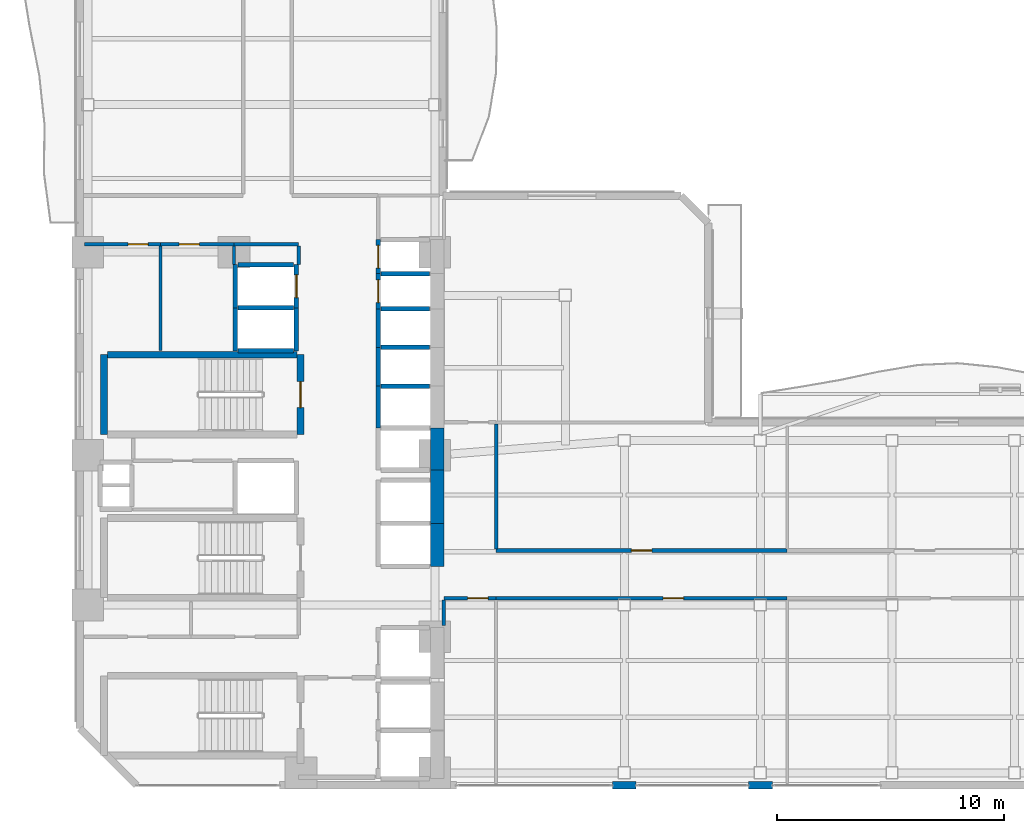
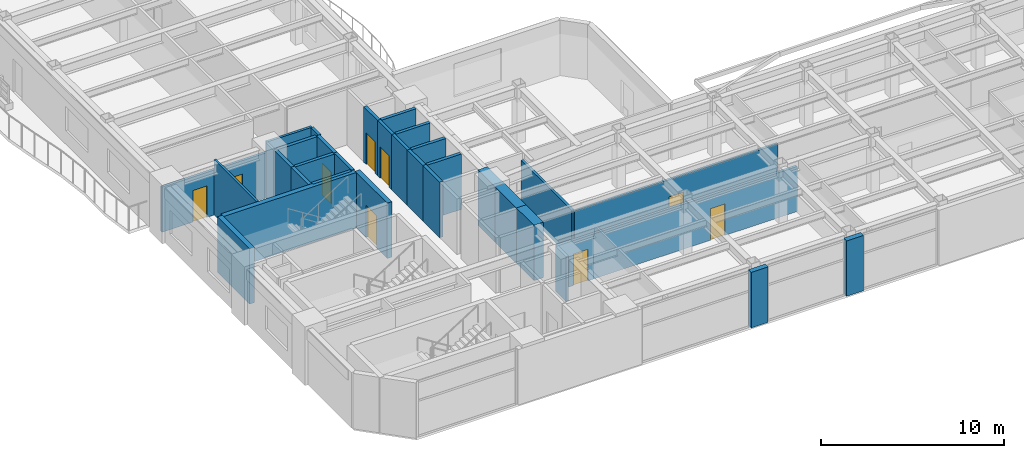
# One storey, part 10 of 17: 35 walls, 9 doors, 9 openings.
"""IFC4 building model written with IfcOpenShell, lengths in metres."""

from ifc_helpers import new_model, si_unit, direction, frame, frame_2d, origin, place, context, subcontext, project, spatial, rectangle, extrude, material, layer, layer_set, type_object, element, fill, save


model = new_model("IFC4")

# Units and contexts
model_context = context("Model", 3, precision=1e-05, world=origin(), true_north=direction((0.0, 1.0)))
body_context = subcontext(model_context, "Body", "Model", "MODEL_VIEW")
ifc_project = project(units=[si_unit("LENGTHUNIT", "METRE"), si_unit("AREAUNIT", "SQUARE_METRE"), si_unit("VOLUMEUNIT", "CUBIC_METRE"), si_unit("PLANEANGLEUNIT", "RADIAN"), si_unit("MASSUNIT", "GRAM", prefix="KILO")], contexts=[model_context])

# Site, building, storey
site_placement = place(None, origin())
site = spatial("IfcSite", under=ifc_project, at=site_placement, CompositionType="ELEMENT")
building_placement = place(site_placement, origin())
building = spatial("IfcBuilding", under=site, at=building_placement, Name="Mawjaban Terraces University", CompositionType="ELEMENT")
storey_placement = place(building_placement, frame((0.0, 0.0, 70.0)))
storey = spatial("IfcBuildingStorey", under=building, at=storey_placement, Name="L16", CompositionType="ELEMENT", Elevation=70.0)

# Walls
ifc_material_1 = material(Name="Concrete C70/85", Category="concrete")
ifc_layer_1 = layer(ifc_material_1, 0.60009765625)
ifc_layer_set_1 = layer_set([ifc_layer_1], Name="Concrete C70/85")
wall_type_1 = type_object("IfcWallType", Name="CoreShearWall_600", PredefinedType="SHEAR", material=ifc_layer_set_1)
wall_1_placement = place(storey_placement, frame((37.75, 9.64990234375, 0.0), z_axis=(0.0, 0.0, 1.0), x_axis=(0.0, 1.0, 0.0)))
element("IfcWall", 1, at=wall_1_placement, inside=storey, type_object=wall_type_1, Name="L16 Lift PL-H1 Hoistway Wall East", PredefinedType="SHEAR", context=body_context, shape_type="SweptSolid", body=[
    extrude(rectangle(XDim=1.900146484375, YDim=0.60009765625, at=frame_2d((0.9501953125, 0.0))), origin(), (0.0, 0.0, 1.0), 3.68994140625),
])
wall_2_placement = place(storey_placement, frame((37.75, 11.550048828125, 0.0), z_axis=(0.0, 0.0, 1.0), x_axis=(0.0, 1.0, 0.0)))
element("IfcWall", 2, at=wall_2_placement, inside=storey, type_object=wall_type_1, Name="L16 Lift PL-H2 Hoistway Wall East", PredefinedType="SHEAR", context=body_context, shape_type="SweptSolid", body=[
    extrude(rectangle(XDim=2.349853515625, YDim=0.60009765625, at=frame_2d((1.1748046875, 0.0))), origin(), (0.0, 0.0, 1.0), 3.68994140625),
])
wall_3_placement = place(storey_placement, frame((37.75, 13.89990234375, 0.0), z_axis=(0.0, 0.0, 1.0), x_axis=(0.0, 1.0, 0.0)))
element("IfcWall", 3, at=wall_3_placement, inside=storey, type_object=wall_type_1, Name="L16 Lift OL-1 Hoistway Wall East", PredefinedType="SHEAR", context=body_context, shape_type="SweptSolid", body=[
    extrude(rectangle(XDim=1.85009765625, YDim=0.60009765625, at=frame_2d((0.925048828125, 0.0))), origin(), (0.0, 0.0, 1.0), 3.68994140625),
])

# Wall, opening, door
ifc_material_2 = material(Name="Fire-rated gypsum board on steel stud", Category="steel")
ifc_layer_2 = layer(ifc_material_2, 0.159912109375)
ifc_layer_set_2 = layer_set([ifc_layer_2], Name="Fire-rated gypsum board on steel stud")
wall_type_2 = type_object("IfcWallType", Name="CorridorPartition_160", PredefinedType="PARTITIONING", material=ifc_layer_set_2)
wall_4_placement = place(storey_placement, frame((25.550048828125, 23.85009765625, 0.0), z_axis=(0.0, 0.0, 1.0), x_axis=(-1.0, 0.0, 0.0)))
wall_4 = element("IfcWall", 4, at=wall_4_placement, inside=storey, type_object=wall_type_2, Name="L16 Female Toilet Partition 3", PredefinedType="PARTITIONING", context=body_context, shape_type="SweptSolid", body=[
    extrude(rectangle(XDim=3.35009765625, YDim=0.159912109375, at=frame_2d((1.675048828125, 0.0))), origin(), (0.0, 0.0, 1.0), 2.9951171875),
])
opening_1_placement = place(wall_4_placement, frame((0.534912109375, 0.0, 0.0)))
opening_1 = element("IfcOpeningElement", 5, at=opening_1_placement, cuts=wall_4, Name="Opening ID-088", PredefinedType="OPENING", context=body_context, shape_type="SweptSolid", body=[
    extrude(rectangle(XDim=0.8798828125, YDim=2.10009765625, at=frame_2d((0.43994140625, 1.050048828125))), frame((0.0, 0.08984375, 0.0), z_axis=(0.0, -1.0, 0.0), x_axis=(1.0, 0.0, 0.0)), (0.0, 0.0, 1.0), 0.179931640625),
])
ifc_material_3 = material(Name="Powder-coated steel frame and solid acoustic timber leaf", Category="steel")
door_type_1 = type_object("IfcDoorType", Name="ToiletDoor_880x2100", OperationType="NOTDEFINED", PredefinedType="DOOR", material=ifc_material_3)
door_1_placement = place(opening_1_placement, origin())
door_1 = element("IfcDoor", 6, at=door_1_placement, inside=storey, type_object=door_type_1, Name="L16 Female Toilet Door", OperationType="SINGLE_SWING_RIGHT", OverallHeight=2.10009765625, OverallWidth=0.8798828125, PredefinedType="DOOR", context=body_context, shape_type="SweptSolid", body=[
    extrude(rectangle(XDim=0.8798828125, YDim=2.10009765625, at=frame_2d((0.43994140625, 1.050048828125))), frame((0.0, 0.02490234375, 0.0), z_axis=(0.0, -1.0, 0.0), x_axis=(1.0, 0.0, 0.0)), (0.0, 0.0, 1.0), 0.050048828125),
])
fill(opening_1, door_1)

wall_5_placement = place(storey_placement, frame((28.800048828125, 23.85009765625, 0.0), z_axis=(0.0, 0.0, 1.0), x_axis=(-1.0, 0.0, 0.0)))
wall_5 = element("IfcWall", 7, at=wall_5_placement, inside=storey, type_object=wall_type_2, Name="L16 Staff Tea Pantry Partition 5", PredefinedType="PARTITIONING", context=body_context, shape_type="SweptSolid", body=[
    extrude(rectangle(XDim=3.25, YDim=0.159912109375, at=frame_2d((1.625, 0.0))), origin(), (0.0, 0.0, 1.0), 2.9951171875),
])
opening_2_placement = place(wall_5_placement, frame((1.52490234375, 0.0, 0.0)))
opening_2 = element("IfcOpeningElement", 8, at=opening_2_placement, cuts=wall_5, Name="Opening ID-090", PredefinedType="OPENING", context=body_context, shape_type="SweptSolid", body=[
    extrude(rectangle(XDim=0.89990234375, YDim=2.10009765625, at=frame_2d((0.449951171875, 1.050048828125))), frame((0.0, 0.08984375, 0.0), z_axis=(0.0, -1.0, 0.0), x_axis=(1.0, 0.0, 0.0)), (0.0, 0.0, 1.0), 0.179931640625),
])
door_type_2 = type_object("IfcDoorType", Name="OfficeDoor_900x2100", OperationType="NOTDEFINED", PredefinedType="DOOR", material=ifc_material_3)
door_2_placement = place(opening_2_placement, origin())
door_2 = element("IfcDoor", 9, at=door_2_placement, inside=storey, type_object=door_type_2, Name="L16 Staff Tea Pantry Door", OperationType="SINGLE_SWING_LEFT", OverallHeight=2.10009765625, OverallWidth=0.89990234375, PredefinedType="DOOR", context=body_context, shape_type="SweptSolid", body=[
    extrude(rectangle(XDim=0.89990234375, YDim=2.10009765625, at=frame_2d((0.449951171875, 1.050048828125))), frame((0.0, 0.02490234375, 0.0), z_axis=(0.0, -1.0, 0.0), x_axis=(1.0, 0.0, 0.0)), (0.0, 0.0, 1.0), 0.050048828125),
])
fill(opening_2, door_2)

# Wall
wall_6_placement = place(storey_placement, frame((28.800048828125, 23.85009765625, 0.0), z_axis=(0.0, 0.0, 1.0), x_axis=(1.0, 0.0, 0.0)))
element("IfcWall", 10, at=wall_6_placement, inside=storey, type_object=wall_type_2, Name="L16 North Core Cross-Corridor Partition 6", PredefinedType="PARTITIONING", context=body_context, shape_type="SweptSolid", body=[
    extrude(rectangle(XDim=2.849853515625, YDim=0.159912109375, at=frame_2d((1.4248046875, 0.0))), origin(), (0.0, 0.0, 1.0), 3.68994140625),
])

# Wall, opening, door
wall_7_placement = place(storey_placement, frame((38.050048828125, 8.25, 0.0), z_axis=(0.0, 0.0, 1.0), x_axis=(1.0, 0.0, 0.0)))
wall_7 = element("IfcWall", 11, at=wall_7_placement, inside=storey, type_object=wall_type_2, Name="L16 East Academic Corridor Vestibule Partition 13", PredefinedType="PARTITIONING", context=body_context, shape_type="SweptSolid", body=[
    extrude(rectangle(XDim=2.300048828125, YDim=0.159912109375, at=frame_2d((1.14990234375, 0.0))), origin(), (0.0, 0.0, 1.0), 2.9951171875),
])
opening_3_placement = place(wall_7_placement, frame((1.050048828125, 0.0, 0.0)))
opening_3 = element("IfcOpeningElement", 12, at=opening_3_placement, cuts=wall_7, Name="Opening ID-090", PredefinedType="OPENING", context=body_context, shape_type="SweptSolid", body=[
    extrude(rectangle(XDim=0.89990234375, YDim=2.10009765625, at=frame_2d((0.449951171875, 1.050048828125))), frame((0.0, 0.08984375, 0.0), z_axis=(0.0, -1.0, 0.0), x_axis=(1.0, 0.0, 0.0)), (0.0, 0.0, 1.0), 0.179931640625),
])
door_3_placement = place(opening_3_placement, origin())
door_3 = element("IfcDoor", 13, at=door_3_placement, inside=storey, type_object=door_type_2, Name="L16 Collaborative Study Room 1 Door", OperationType="SINGLE_SWING_RIGHT", OverallHeight=2.10009765625, OverallWidth=0.89990234375, PredefinedType="DOOR", context=body_context, shape_type="SweptSolid", body=[
    extrude(rectangle(XDim=0.89990234375, YDim=2.10009765625, at=frame_2d((0.449951171875, 1.050048828125))), frame((0.0, 0.02490234375, 0.0), z_axis=(0.0, -1.0, 0.0), x_axis=(1.0, 0.0, 0.0)), (0.0, 0.0, 1.0), 0.050048828125),
])
fill(opening_3, door_3)

wall_8_placement = place(storey_placement, frame((40.35009765625, 8.25, 0.0), z_axis=(0.0, 0.0, 1.0), x_axis=(1.0, 0.0, 0.0)))
wall_8 = element("IfcWall", 14, at=wall_8_placement, inside=storey, type_object=wall_type_2, Name="L16 East Academic Spine Corridor Partition 14", PredefinedType="PARTITIONING", context=body_context, shape_type="SweptSolid", body=[
    extrude(rectangle(XDim=12.829833984375, YDim=0.159912109375, at=frame_2d((6.4150390625, 0.0))), origin(), (0.0, 0.0, 1.0), 2.9951171875),
])
opening_4_placement = place(wall_8_placement, frame((7.364990234375, 0.0, 0.0)))
opening_4 = element("IfcOpeningElement", 15, at=opening_4_placement, cuts=wall_8, Name="Opening ID-090", PredefinedType="OPENING", context=body_context, shape_type="SweptSolid", body=[
    extrude(rectangle(XDim=0.89990234375, YDim=2.10009765625, at=frame_2d((0.449951171875, 1.050048828125))), frame((0.0, 0.08984375, 0.0), z_axis=(0.0, -1.0, 0.0), x_axis=(1.0, 0.0, 0.0)), (0.0, 0.0, 1.0), 0.179931640625),
])
door_4_placement = place(opening_4_placement, origin())
door_4 = element("IfcDoor", 16, at=door_4_placement, inside=storey, type_object=door_type_2, Name="L16 Graduate Study Lounge 2 Door", OperationType="SINGLE_SWING_LEFT", OverallHeight=2.10009765625, OverallWidth=0.89990234375, PredefinedType="DOOR", context=body_context, shape_type="SweptSolid", body=[
    extrude(rectangle(XDim=0.89990234375, YDim=2.10009765625, at=frame_2d((0.449951171875, 1.050048828125))), frame((0.0, 0.02490234375, 0.0), z_axis=(0.0, -1.0, 0.0), x_axis=(1.0, 0.0, 0.0)), (0.0, 0.0, 1.0), 0.050048828125),
])
fill(opening_4, door_4)

wall_9_placement = place(storey_placement, frame((53.179931640625, 10.35009765625, 0.0), z_axis=(0.0, 0.0, 1.0), x_axis=(-1.0, 0.0, 0.0)))
wall_9 = element("IfcWall", 17, at=wall_9_placement, inside=storey, type_object=wall_type_2, Name="L16 East Academic Spine Corridor Partition 18", PredefinedType="PARTITIONING", context=body_context, shape_type="SweptSolid", body=[
    extrude(rectangle(XDim=12.829833984375, YDim=0.159912109375, at=frame_2d((6.4150390625, 0.0))), origin(), (0.0, 0.0, 1.0), 3.22705078125),
])
opening_5_placement = place(wall_9_placement, frame((5.965087890625, 0.0, 0.0)))
opening_5 = element("IfcOpeningElement", 18, at=opening_5_placement, cuts=wall_9, Name="Opening ID-090", PredefinedType="OPENING", context=body_context, shape_type="SweptSolid", body=[
    extrude(rectangle(XDim=0.89990234375, YDim=2.10009765625, at=frame_2d((0.449951171875, 1.050048828125))), frame((0.0, 0.08984375, 0.0), z_axis=(0.0, -1.0, 0.0), x_axis=(1.0, 0.0, 0.0)), (0.0, 0.0, 1.0), 0.179931640625),
])
door_5_placement = place(opening_5_placement, origin())
door_5 = element("IfcDoor", 19, at=door_5_placement, inside=storey, type_object=door_type_2, Name="L16 Collaborative Study Room 3 Door", OperationType="SINGLE_SWING_RIGHT", OverallHeight=2.10009765625, OverallWidth=0.89990234375, PredefinedType="DOOR", context=body_context, shape_type="SweptSolid", body=[
    extrude(rectangle(XDim=0.89990234375, YDim=2.10009765625, at=frame_2d((0.449951171875, 1.050048828125))), frame((0.0, 0.02490234375, 0.0), z_axis=(0.0, -1.0, 0.0), x_axis=(1.0, 0.0, 0.0)), (0.0, 0.0, 1.0), 0.050048828125),
])
fill(opening_5, door_5)

# Walls
wall_10_placement = place(storey_placement, frame((31.64990234375, 23.77490234375, 0.0), z_axis=(0.0, 0.0, 1.0), x_axis=(0.0, -1.0, 0.0)))
element("IfcWall", 20, at=wall_10_placement, inside=storey, type_object=wall_type_2, Name="L16 Passenger Lift Lobby Partition 29", PredefinedType="PARTITIONING", context=body_context, shape_type="SweptSolid", body=[
    extrude(rectangle(XDim=0.824951171875, YDim=0.159912109375, at=frame_2d((0.41259765625, 0.0))), origin(), (0.0, 0.0, 1.0), 3.68994140625),
])
wall_11_placement = place(storey_placement, frame((38.050048828125, 7.050048828125, 0.0), z_axis=(0.0, 0.0, 1.0), x_axis=(0.0, 1.0, 0.0)))
element("IfcWall", 21, at=wall_11_placement, inside=storey, type_object=wall_type_2, Name="L16 Core Stair and Lift Lobby East Partition 31", PredefinedType="PARTITIONING", context=body_context, shape_type="SweptSolid", body=[
    extrude(rectangle(XDim=1.125, YDim=0.159912109375, at=frame_2d((0.5625, 0.0))), origin(), (0.0, 0.0, 1.0), 2.9951171875),
])
wall_12_placement = place(storey_placement, frame((40.35009765625, 10.425048828125, 0.0), z_axis=(0.0, 0.0, 1.0), x_axis=(0.0, 1.0, 0.0)))
element("IfcWall", 22, at=wall_12_placement, inside=storey, type_object=wall_type_2, Name="L16 East Academic Corridor Vestibule Partition 34", PredefinedType="PARTITIONING", context=body_context, shape_type="SweptSolid", body=[
    extrude(rectangle(XDim=5.5, YDim=0.159912109375, at=frame_2d((2.75, 0.0))), origin(), (0.0, 0.0, 1.0), 3.22705078125),
])
ifc_material_4 = material(Name="Insulated terracotta rainscreen on concrete backup C40/50", Category="masonry")
ifc_layer_3 = layer(ifc_material_4, 0.320068359375)
ifc_layer_set_3 = layer_set([ifc_layer_3], Name="Insulated terracotta rainscreen on concrete backup C40/50")
wall_type_3 = type_object("IfcWallType", Name="ExtTerracottaWall_320", PredefinedType="SOLIDWALL", material=ifc_layer_set_3)
for number, where, z_axis, x_axis, name in (
    (23, (45.47509765625, 0.0, 0.0), (0.0, 0.0, 1.0), (1.0, 0.0, 0.0), "L16 Exterior Terracotta Pier Wall 1.2"),
    (24, (51.47509765625, 0.0, 0.0), (0.0, 0.0, 1.0), (1.0, 0.0, 0.0), "L16 Exterior Terracotta Pier Wall 1.3"),
):
    element("IfcWall", number, at=place(storey_placement, frame(where, z_axis=z_axis, x_axis=x_axis)), inside=storey, type_object=wall_type_3, Name=name, PredefinedType="SOLIDWALL", context=body_context, shape_type="SweptSolid", body=[
        extrude(rectangle(XDim=1.0498046875, YDim=0.320068359375, at=frame_2d((0.52490234375, 0.0))), origin(), (0.0, 0.0, 1.0), 3.68994140625),
    ])
ifc_material_5 = material(Name="Concrete C40/50", Category="concrete")
ifc_layer_4 = layer(ifc_material_5, 0.199951171875)
ifc_layer_set_4 = layer_set([ifc_layer_4], Name="Concrete C40/50")
wall_type_4 = type_object("IfcWallType", Name="FireLobbyWall_200", PredefinedType="SOLIDWALL", material=ifc_layer_set_4)
wall_13_placement = place(storey_placement, frame((35.14990234375, 17.60009765625, 0.0), z_axis=(0.0, 0.0, 1.0), x_axis=(0.0, -1.0, 0.0)))
element("IfcWall", 25, at=wall_13_placement, inside=storey, type_object=wall_type_4, Name="L16 Lift OL-2 Hoistway Wall West", PredefinedType="SOLIDWALL", context=body_context, shape_type="SweptSolid", body=[
    extrude(rectangle(XDim=1.85009765625, YDim=0.199951171875, at=frame_2d((0.925048828125, 0.0))), origin(), (0.0, 0.0, 1.0), 3.68994140625),
])
wall_14_placement = place(storey_placement, frame((37.419921875, 17.60009765625, 0.0), z_axis=(0.0, 0.0, 1.0), x_axis=(-1.0, 0.0, 0.0)))
element("IfcWall", 26, at=wall_14_placement, inside=storey, type_object=wall_type_4, Name="L16 Lift OL-2 Hoistway Wall North", PredefinedType="SOLIDWALL", context=body_context, shape_type="SweptSolid", body=[
    extrude(rectangle(XDim=2.139892578125, YDim=0.199951171875, at=frame_2d((1.06982421875, 0.0))), origin(), (0.0, 0.0, 1.0), 3.68994140625),
])
wall_15_placement = place(storey_placement, frame((35.14990234375, 19.300048828125, 0.0), z_axis=(0.0, 0.0, 1.0), x_axis=(0.0, -1.0, 0.0)))
element("IfcWall", 27, at=wall_15_placement, inside=storey, type_object=wall_type_4, Name="L16 Lift PL-M1 Hoistway Wall West", PredefinedType="SOLIDWALL", context=body_context, shape_type="SweptSolid", body=[
    extrude(rectangle(XDim=1.699951171875, YDim=0.199951171875, at=frame_2d((0.85009765625, 0.0))), origin(), (0.0, 0.0, 1.0), 3.68994140625),
])
wall_16_placement = place(storey_placement, frame((37.419921875, 19.300048828125, 0.0), z_axis=(0.0, 0.0, 1.0), x_axis=(-1.0, 0.0, 0.0)))
element("IfcWall", 28, at=wall_16_placement, inside=storey, type_object=wall_type_4, Name="L16 Lift PL-M1 Hoistway Wall North", PredefinedType="SOLIDWALL", context=body_context, shape_type="SweptSolid", body=[
    extrude(rectangle(XDim=2.139892578125, YDim=0.199951171875, at=frame_2d((1.06982421875, 0.0))), origin(), (0.0, 0.0, 1.0), 3.68994140625),
])
wall_17_placement = place(storey_placement, frame((35.14990234375, 21.0, 0.0), z_axis=(0.0, 0.0, 1.0), x_axis=(0.0, -1.0, 0.0)))
element("IfcWall", 29, at=wall_17_placement, inside=storey, type_object=wall_type_4, Name="L16 Lift PL-M2 Hoistway Wall West", PredefinedType="SOLIDWALL", context=body_context, shape_type="SweptSolid", body=[
    extrude(rectangle(XDim=1.699951171875, YDim=0.199951171875, at=frame_2d((0.85009765625, 0.0))), origin(), (0.0, 0.0, 1.0), 3.68994140625),
])
wall_18_placement = place(storey_placement, frame((37.419921875, 21.0, 0.0), z_axis=(0.0, 0.0, 1.0), x_axis=(-1.0, 0.0, 0.0)))
element("IfcWall", 30, at=wall_18_placement, inside=storey, type_object=wall_type_4, Name="L16 Lift PL-M2 Hoistway Wall North", PredefinedType="SOLIDWALL", context=body_context, shape_type="SweptSolid", body=[
    extrude(rectangle(XDim=2.139892578125, YDim=0.199951171875, at=frame_2d((1.06982421875, 0.0))), origin(), (0.0, 0.0, 1.0), 3.68994140625),
])
for number, where, z_axis, x_axis, name in (
    (31, (28.85009765625, 21.050048828125, 0.0), (0.0, 0.0, 1.0), (0.0, -1.0, 0.0), "L16 Lift PL-M3 Hoistway Wall West"),
    (32, (31.550048828125, 19.14990234375, 0.0), (0.0, 0.0, 1.0), (0.0, 1.0, 0.0), "L16 Lift PL-M3 Hoistway Wall East"),
):
    element("IfcWall", number, at=place(storey_placement, frame(where, z_axis=z_axis, x_axis=x_axis)), inside=storey, type_object=wall_type_4, Name=name, PredefinedType="SOLIDWALL", context=body_context, shape_type="SweptSolid", body=[
        extrude(rectangle(XDim=1.900146484375, YDim=0.199951171875, at=frame_2d((0.9501953125, 0.0))), origin(), (0.0, 0.0, 1.0), 3.68994140625),
    ])
for number, where, z_axis, x_axis, name in (
    (33, (28.97998046875, 19.14990234375, 0.0), (0.0, 0.0, 1.0), (1.0, 0.0, 0.0), "L16 Lift PL-M3 Hoistway Wall South"),
    (34, (31.419921875, 21.050048828125, 0.0), (0.0, 0.0, 1.0), (-1.0, 0.0, 0.0), "L16 Lift PL-M3 Hoistway Wall North"),
):
    element("IfcWall", number, at=place(storey_placement, frame(where, z_axis=z_axis, x_axis=x_axis)), inside=storey, type_object=wall_type_4, Name=name, PredefinedType="SOLIDWALL", context=body_context, shape_type="SweptSolid", body=[
        extrude(rectangle(XDim=2.43994140625, YDim=0.199951171875, at=frame_2d((1.219970703125, 0.0))), origin(), (0.0, 0.0, 1.0), 3.68994140625),
    ])

# Wall, opening, door
wall_19_placement = place(storey_placement, frame((35.14990234375, 22.550048828125, 0.0), z_axis=(0.0, 0.0, 1.0), x_axis=(0.0, -1.0, 0.0)))
wall_19 = element("IfcWall", 35, at=wall_19_placement, inside=storey, type_object=wall_type_4, Name="L16 Lift PL-L1 Hoistway Wall West", PredefinedType="SOLIDWALL", context=body_context, shape_type="SweptSolid", body=[
    extrude(rectangle(XDim=1.550048828125, YDim=0.199951171875, at=frame_2d((0.77490234375, 0.0))), origin(), (0.0, 0.0, 1.0), 3.68994140625),
])
opening_6_placement = place(wall_19_placement, frame((0.27490234375, 0.0, 0.0)))
opening_6 = element("IfcOpeningElement", 36, at=opening_6_placement, cuts=wall_19, Name="Opening LD-PL-L1", PredefinedType="OPENING", context=body_context, shape_type="SweptSolid", body=[
    extrude(rectangle(XDim=1.0, YDim=2.10009765625, at=frame_2d((0.5, 1.050048828125))), frame((0.0, 0.10986328125, 0.0), z_axis=(0.0, -1.0, 0.0), x_axis=(1.0, 0.0, 0.0)), (0.0, 0.0, 1.0), 0.219970703125),
])
ifc_material_6 = material(Name="Powder-coated steel frame and fire-rated steel-faced leaf", Category="steel")
door_type_3 = type_object("IfcDoorType", Name="LiftLandingSliding_1000x2100", OperationType="NOTDEFINED", PredefinedType="DOOR", material=ifc_material_6)
door_6_placement = place(opening_6_placement, origin())
door_6 = element("IfcDoor", 37, at=door_6_placement, inside=storey, type_object=door_type_3, Name="L16 Lift PL-L1 Sliding Landing Door", OperationType="DOUBLE_DOOR_SLIDING", OverallHeight=2.10009765625, OverallWidth=1.0, PredefinedType="DOOR", context=body_context, shape_type="SweptSolid", body=[
    extrude(rectangle(XDim=1.0, YDim=2.10009765625, at=frame_2d((0.5, 1.050048828125))), frame((0.0, 0.02490234375, 0.0), z_axis=(0.0, -1.0, 0.0), x_axis=(1.0, 0.0, 0.0)), (0.0, 0.0, 1.0), 0.050048828125),
])
fill(opening_6, door_6)

# Wall
wall_20_placement = place(storey_placement, frame((37.419921875, 22.550048828125, 0.0), z_axis=(0.0, 0.0, 1.0), x_axis=(-1.0, 0.0, 0.0)))
element("IfcWall", 38, at=wall_20_placement, inside=storey, type_object=wall_type_4, Name="L16 Lift PL-L1 Hoistway Wall North", PredefinedType="SOLIDWALL", context=body_context, shape_type="SweptSolid", body=[
    extrude(rectangle(XDim=2.139892578125, YDim=0.199951171875, at=frame_2d((1.06982421875, 0.0))), origin(), (0.0, 0.0, 1.0), 3.68994140625),
])

# Wall, opening, door
wall_21_placement = place(storey_placement, frame((35.14990234375, 24.050048828125, 0.0), z_axis=(0.0, 0.0, 1.0), x_axis=(0.0, -1.0, 0.0)))
wall_21 = element("IfcWall", 39, at=wall_21_placement, inside=storey, type_object=wall_type_4, Name="L16 Lift PL-L2 Hoistway Wall West", PredefinedType="SOLIDWALL", context=body_context, shape_type="SweptSolid", body=[
    extrude(rectangle(XDim=1.5, YDim=0.199951171875, at=frame_2d((0.75, 0.0))), origin(), (0.0, 0.0, 1.0), 3.68994140625),
])
opening_7_placement = place(wall_21_placement, frame((0.25, 0.0, 0.0)))
opening_7 = element("IfcOpeningElement", 40, at=opening_7_placement, cuts=wall_21, Name="Opening LD-PL-L2", PredefinedType="OPENING", context=body_context, shape_type="SweptSolid", body=[
    extrude(rectangle(XDim=1.0, YDim=2.10009765625, at=frame_2d((0.5, 1.050048828125))), frame((0.0, 0.10986328125, 0.0), z_axis=(0.0, -1.0, 0.0), x_axis=(1.0, 0.0, 0.0)), (0.0, 0.0, 1.0), 0.219970703125),
])
door_7_placement = place(opening_7_placement, origin())
door_7 = element("IfcDoor", 41, at=door_7_placement, inside=storey, type_object=door_type_3, Name="L16 Lift PL-L2 Sliding Landing Door", OperationType="DOUBLE_DOOR_SLIDING", OverallHeight=2.10009765625, OverallWidth=1.0, PredefinedType="DOOR", context=body_context, shape_type="SweptSolid", body=[
    extrude(rectangle(XDim=1.0, YDim=2.10009765625, at=frame_2d((0.5, 1.050048828125))), frame((0.0, 0.02490234375, 0.0), z_axis=(0.0, -1.0, 0.0), x_axis=(1.0, 0.0, 0.0)), (0.0, 0.0, 1.0), 0.050048828125),
])
fill(opening_7, door_7)

# Wall
wall_22_placement = place(storey_placement, frame((28.85009765625, 22.949951171875, 0.0), z_axis=(0.0, 0.0, 1.0), x_axis=(0.0, -1.0, 0.0)))
element("IfcWall", 42, at=wall_22_placement, inside=storey, type_object=wall_type_4, Name="L16 Lift PL-L3 Hoistway Wall West", PredefinedType="SOLIDWALL", context=body_context, shape_type="SweptSolid", body=[
    extrude(rectangle(XDim=1.89990234375, YDim=0.199951171875, at=frame_2d((0.949951171875, 0.0))), origin(), (0.0, 0.0, 1.0), 3.68994140625),
])

# Wall, opening, door
wall_23_placement = place(storey_placement, frame((31.550048828125, 21.050048828125, 0.0), z_axis=(0.0, 0.0, 1.0), x_axis=(0.0, 1.0, 0.0)))
wall_23 = element("IfcWall", 43, at=wall_23_placement, inside=storey, type_object=wall_type_4, Name="L16 Lift PL-L3 Hoistway Wall East", PredefinedType="SOLIDWALL", context=body_context, shape_type="SweptSolid", body=[
    extrude(rectangle(XDim=1.89990234375, YDim=0.199951171875, at=frame_2d((0.949951171875, 0.0))), origin(), (0.0, 0.0, 1.0), 3.68994140625),
])
opening_8_placement = place(wall_23_placement, frame((0.449951171875, 0.0, 0.0)))
opening_8 = element("IfcOpeningElement", 44, at=opening_8_placement, cuts=wall_23, Name="Opening LD-PL-L3", PredefinedType="OPENING", context=body_context, shape_type="SweptSolid", body=[
    extrude(rectangle(XDim=1.0, YDim=2.10009765625, at=frame_2d((0.5, 1.050048828125))), frame((0.0, 0.10986328125, 0.0), z_axis=(0.0, -1.0, 0.0), x_axis=(1.0, 0.0, 0.0)), (0.0, 0.0, 1.0), 0.219970703125),
])
door_8_placement = place(opening_8_placement, origin())
door_8 = element("IfcDoor", 45, at=door_8_placement, inside=storey, type_object=door_type_3, Name="L16 Lift PL-L3 Sliding Landing Door", OperationType="DOUBLE_DOOR_SLIDING", OverallHeight=2.10009765625, OverallWidth=1.0, PredefinedType="DOOR", context=body_context, shape_type="SweptSolid", body=[
    extrude(rectangle(XDim=1.0, YDim=2.10009765625, at=frame_2d((0.5, 1.050048828125))), frame((0.0, 0.02490234375, 0.0), z_axis=(0.0, -1.0, 0.0), x_axis=(1.0, 0.0, 0.0)), (0.0, 0.0, 1.0), 0.050048828125),
])
fill(opening_8, door_8)

# Walls
wall_24_placement = place(storey_placement, frame((31.429931640625, 22.949951171875, 0.0), z_axis=(0.0, 0.0, 1.0), x_axis=(-1.0, 0.0, 0.0)))
element("IfcWall", 46, at=wall_24_placement, inside=storey, type_object=wall_type_4, Name="L16 Lift PL-L3 Hoistway Wall North", PredefinedType="SOLIDWALL", context=body_context, shape_type="SweptSolid", body=[
    extrude(rectangle(XDim=2.4599609375, YDim=0.199951171875, at=frame_2d((1.22998046875, 0.0))), origin(), (0.0, 0.0, 1.0), 3.68994140625),
])
ifc_material_7 = material(Name="Gypsum plasterboard on steel stud", Category="steel")
ifc_layer_5 = layer(ifc_material_7, 0.125)
ifc_layer_set_5 = layer_set([ifc_layer_5], Name="Gypsum plasterboard on steel stud")
wall_type_5 = type_object("IfcWallType", Name="OfficePartition_125", PredefinedType="PARTITIONING", material=ifc_layer_set_5)
wall_25_placement = place(storey_placement, frame((28.800048828125, 22.949951171875, 0.0), z_axis=(0.0, 0.0, 1.0), x_axis=(0.0, 1.0, 0.0)))
element("IfcWall", 47, at=wall_25_placement, inside=storey, type_object=wall_type_5, Name="L16 Staff Tea Pantry Partition 25", PredefinedType="PARTITIONING", context=body_context, shape_type="SweptSolid", body=[
    extrude(rectangle(XDim=0.824951171875, YDim=0.125, at=frame_2d((0.41259765625, 0.0))), origin(), (0.0, 0.0, 1.0), 3.68994140625),
])
ifc_material_8 = material(Name="Concrete C60/75", Category="concrete")
ifc_layer_6 = layer(ifc_material_8, 0.300048828125)
ifc_layer_set_6 = layer_set([ifc_layer_6], Name="Concrete C60/75")
wall_type_6 = type_object("IfcWallType", Name="StairShaftWall_300", PredefinedType="SHEAR", material=ifc_layer_set_6)
wall_26_placement = place(storey_placement, frame((31.580078125, 18.97998046875, 0.0), z_axis=(0.0, 0.0, 1.0), x_axis=(-1.0, 0.0, 0.0)))
element("IfcWall", 48, at=wall_26_placement, inside=storey, type_object=wall_type_6, Name="L16 ST-2 Stair Shaft Wall 1", PredefinedType="SHEAR", context=body_context, shape_type="SweptSolid", body=[
    extrude(rectangle(XDim=8.360107421875, YDim=0.300048828125, at=frame_2d((4.18017578125, 0.0))), origin(), (0.0, 0.0, 1.0), 3.68994140625),
])
wall_27_placement = place(storey_placement, frame((23.070068359375, 18.97998046875, 0.0), z_axis=(0.0, 0.0, 1.0), x_axis=(0.0, -1.0, 0.0)))
element("IfcWall", 49, at=wall_27_placement, inside=storey, type_object=wall_type_6, Name="L16 ST-2 Stair Shaft Wall 2", PredefinedType="SHEAR", context=body_context, shape_type="SweptSolid", body=[
    extrude(rectangle(XDim=3.510009765625, YDim=0.300048828125, at=frame_2d((1.7548828125, 0.0))), origin(), (0.0, 0.0, 1.0), 3.68994140625),
])

# Wall, opening, door
wall_28_placement = place(storey_placement, frame((31.72998046875, 15.469970703125, 0.0), z_axis=(0.0, 0.0, 1.0), x_axis=(0.0, 1.0, 0.0)))
wall_28 = element("IfcWall", 50, at=wall_28_placement, inside=storey, type_object=wall_type_6, Name="L16 ST-2 Stair Shaft Wall 4", PredefinedType="SHEAR", context=body_context, shape_type="SweptSolid", body=[
    extrude(rectangle(XDim=3.510009765625, YDim=0.300048828125, at=frame_2d((1.7548828125, 0.0))), origin(), (0.0, 0.0, 1.0), 3.68994140625),
])
opening_9_placement = place(wall_28_placement, frame((1.179931640625, 0.0, 0.0)))
opening_9 = element("IfcOpeningElement", 51, at=opening_9_placement, cuts=wall_28, Name="Opening FD-115", PredefinedType="OPENING", context=body_context, shape_type="SweptSolid", body=[
    extrude(rectangle(XDim=1.14990234375, YDim=2.14990234375, at=frame_2d((0.574951171875, 1.074951171875))), frame((0.0, 0.159912109375, 0.0), z_axis=(0.0, -1.0, 0.0), x_axis=(1.0, 0.0, 0.0)), (0.0, 0.0, 1.0), 0.320068359375),
])
door_type_4 = type_object("IfcDoorType", Name="FireStairDoor_1150x2150", OperationType="NOTDEFINED", PredefinedType="DOOR", material=ifc_material_6)
door_9_placement = place(opening_9_placement, origin())
door_9 = element("IfcDoor", 52, at=door_9_placement, inside=storey, type_object=door_type_4, Name="L16 ST-2 Pressurised Stair Fire Door", OperationType="SINGLE_SWING_RIGHT", OverallHeight=2.14990234375, OverallWidth=1.14990234375, PredefinedType="DOOR", context=body_context, shape_type="SweptSolid", body=[
    extrude(rectangle(XDim=1.14990234375, YDim=2.14990234375, at=frame_2d((0.574951171875, 1.074951171875))), frame((0.0, 0.02490234375, 0.0), z_axis=(0.0, -1.0, 0.0), x_axis=(1.0, 0.0, 0.0)), (0.0, 0.0, 1.0), 0.050048828125),
])
fill(opening_9, door_9)

# Wall
ifc_material_9 = material(Name="Cement-board wet-room partition", Category="masonry")
ifc_layer_7 = layer(ifc_material_9, 0.135009765625)
ifc_layer_set_7 = layer_set([ifc_layer_7], Name="Cement-board wet-room partition")
wall_type_7 = type_object("IfcWallType", Name="WetRoomPartition_135", PredefinedType="PARTITIONING", material=ifc_layer_set_7)
wall_29_placement = place(storey_placement, frame((25.550048828125, 19.159912109375, 0.0), z_axis=(0.0, 0.0, 1.0), x_axis=(0.0, 1.0, 0.0)))
element("IfcWall", 53, at=wall_29_placement, inside=storey, type_object=wall_type_7, Name="L16 Female Toilet Partition 23", PredefinedType="PARTITIONING", context=body_context, shape_type="SweptSolid", body=[
    extrude(rectangle(XDim=4.614990234375, YDim=0.135009765625, at=frame_2d((2.3076171875, 0.0))), origin(), (0.0, 0.0, 1.0), 3.68994140625),
])

save(model, "model.ifc")
